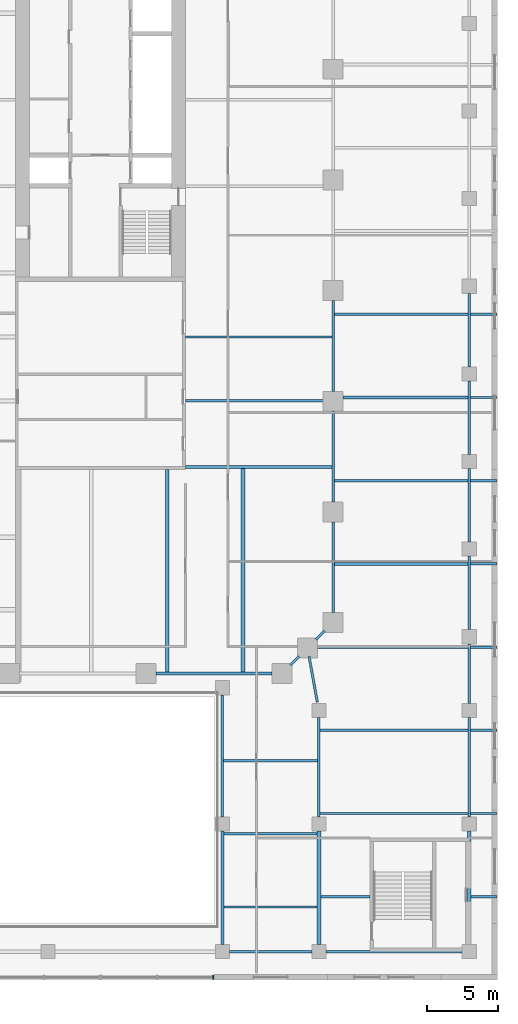
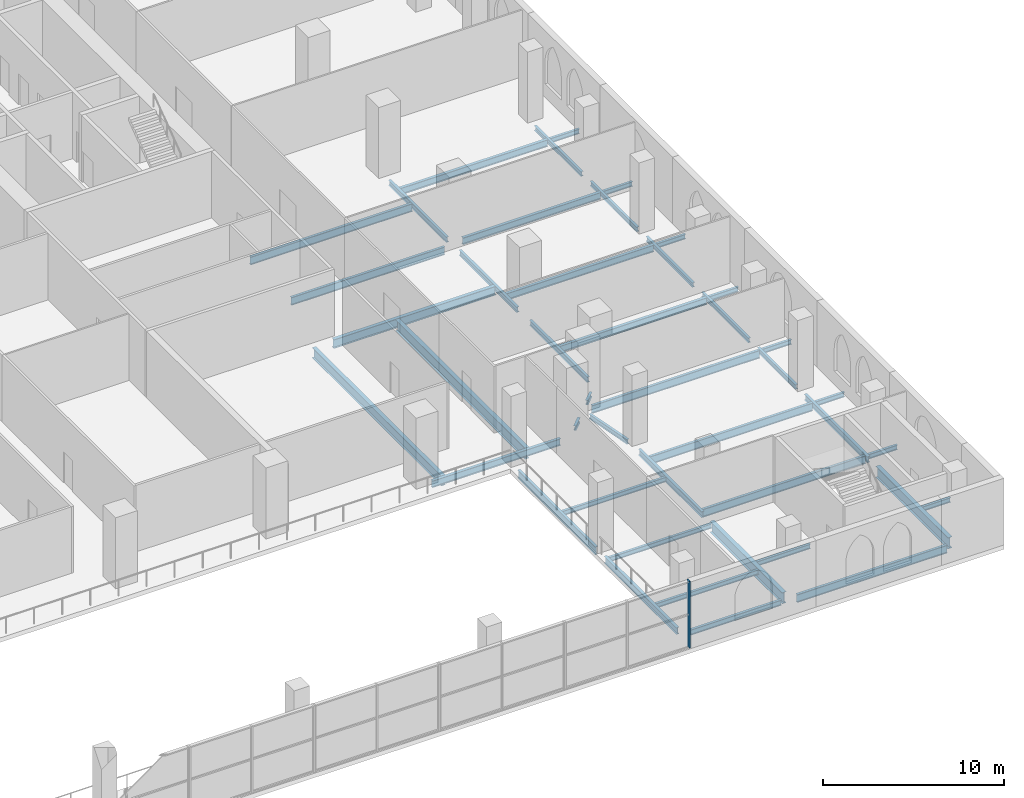
# One storey, part 5 of 19: 44 beams, 1 member, 1 element without a shape of its own.
"""IFC4 building model written with IfcOpenShell, lengths in metres."""

from ifc_helpers import new_model, si_unit, direction, frame, origin, origin_2d, place, context, subcontext, project, spatial, rectangle, i_section, extrude, material, material_profile, profile_set, type_object, element, aggregate, save


model = new_model("IFC4")

# Units and contexts
model_context = context("Model", 3, precision=1e-05, world=origin(), true_north=direction((0.0, 1.0)))
body_context = subcontext(model_context, "Body", "Model", "MODEL_VIEW")
ifc_project = project(units=[si_unit("LENGTHUNIT", "METRE"), si_unit("AREAUNIT", "SQUARE_METRE"), si_unit("VOLUMEUNIT", "CUBIC_METRE"), si_unit("PLANEANGLEUNIT", "RADIAN"), si_unit("MASSUNIT", "GRAM", prefix="KILO")], contexts=[model_context])

# Site, building, storey
site_placement = place(None, origin())
site = spatial("IfcSite", under=ifc_project, at=site_placement, CompositionType="ELEMENT")
building_placement = place(site_placement, origin())
building = spatial("IfcBuilding", under=site, at=building_placement, Name="Ogive Exchange Tower", CompositionType="ELEMENT")
storey_placement = place(building_placement, frame((0.0, 0.0, 24.0)))
storey = spatial("IfcBuildingStorey", under=building, at=storey_placement, Name="L04", CompositionType="ELEMENT", Elevation=24.0)

# Beams
ifc_material_1 = material(Name="Steel ASTM A992 Gr50", Category="steel")
ifc_material_profile_1 = material_profile(ifc_material_1, i_section(OverallWidth=0.1650390625, OverallDepth=0.31005859375, WebThickness=0.005859375, FlangeThickness=0.009765625, at=origin_2d()), Name="W310x38.7")
ifc_profile_set_1 = profile_set([ifc_material_profile_1], Name="Steel ASTM A992 Gr50")
beam_type_1 = type_object("IfcBeamType", Name="Floor beam W310x38.7", PredefinedType="JOIST", material=ifc_profile_set_1)
beam_1_placement = place(storey_placement, frame((31.533447265625, -46.13330078125, -0.455078125), z_axis=(1.0, 0.0, 0.0), x_axis=(0.0, 1.0, 0.0)))
element("IfcBeam", 1, at=beam_1_placement, inside=storey, type_object=beam_type_1, Name="Floor beam", PredefinedType="JOIST", context=body_context, shape_type="SweptSolid", body=[
    extrude(i_section(OverallWidth=0.1650390625, OverallDepth=0.31005859375, WebThickness=0.005859375, FlangeThickness=0.009765625, at=origin_2d()), origin(), (0.0, 0.0, 1.0), 3.466552734375),
])
beam_2_placement = place(storey_placement, frame((42.133544921875, -46.13330078125, -0.455078125), z_axis=(1.0, 0.0, 0.0), x_axis=(0.0, 1.0, 0.0)))
element("IfcBeam", 2, at=beam_2_placement, inside=storey, type_object=beam_type_1, Name="Floor beam", PredefinedType="JOIST", context=body_context, shape_type="SweptSolid", body=[
    extrude(i_section(OverallWidth=0.1650390625, OverallDepth=0.31005859375, WebThickness=0.005859375, FlangeThickness=0.009765625, at=origin_2d()), origin(), (0.0, 0.0, 1.0), 1.81640625),
])
for number, where, z_axis, x_axis, name in (
    (3, (42.089111328125, -40.2666015625, -0.455078125), (1.0, 0.0, 0.0), (0.0, 1.0, 0.0), "Floor beam"),
    (4, (42.089111328125, -34.39990234375, -0.455078125), (1.0, 0.0, 0.0), (0.0, 1.0, 0.0), "Floor beam"),
):
    element("IfcBeam", number, at=place(storey_placement, frame(where, z_axis=z_axis, x_axis=x_axis)), inside=storey, type_object=beam_type_1, Name=name, PredefinedType="JOIST", context=body_context, shape_type="SweptSolid", body=[
        extrude(i_section(OverallWidth=0.1650390625, OverallDepth=0.31005859375, WebThickness=0.005859375, FlangeThickness=0.009765625, at=origin_2d()), origin(), (0.0, 0.0, 1.0), 1.86083984375),
    ])
for number, where, z_axis, x_axis, name in (
    (5, (42.08251953125, -28.533203125, -0.455078125), (1.0, 0.0, 0.0), (0.0, 1.0, 0.0), "Floor beam"),
    (6, (42.08251953125, -22.666748046875, -0.455078125), (1.0, 0.0, 0.0), (0.0, 1.0, 0.0), "Floor beam"),
    (7, (42.08251953125, -16.800048828125, -0.455078125), (1.0, 0.0, 0.0), (0.0, 1.0, 0.0), "Floor beam"),
    (8, (42.08251953125, -10.933349609375, -0.455078125), (1.0, 0.0, 0.0), (0.0, 1.0, 0.0), "Floor beam"),
    (9, (42.08251953125, -5.066650390625, -0.455078125), (1.0, 0.0, 0.0), (0.0, 1.0, 0.0), "Floor beam"),
):
    element("IfcBeam", number, at=place(storey_placement, frame(where, z_axis=z_axis, x_axis=x_axis)), inside=storey, type_object=beam_type_1, Name=name, PredefinedType="JOIST", context=body_context, shape_type="SweptSolid", body=[
        extrude(i_section(OverallWidth=0.1650390625, OverallDepth=0.31005859375, WebThickness=0.005859375, FlangeThickness=0.009765625, at=origin_2d()), origin(), (0.0, 0.0, 1.0), 1.867431640625),
    ])
for number, where, z_axis, x_axis, name in (
    (10, (24.695556640625, -46.85009765625, -0.455078125), (1.0, 0.0, 0.0), (0.0, 1.0, 0.0), "Floor beam"),
    (11, (24.695556640625, -41.699951171875, -0.455078125), (1.0, 0.0, 0.0), (0.0, 1.0, 0.0), "Floor beam"),
):
    element("IfcBeam", number, at=place(storey_placement, frame(where, z_axis=z_axis, x_axis=x_axis)), inside=storey, type_object=beam_type_1, Name=name, PredefinedType="JOIST", context=body_context, shape_type="SweptSolid", body=[
        extrude(i_section(OverallWidth=0.1650390625, OverallDepth=0.31005859375, WebThickness=0.005859375, FlangeThickness=0.009765625, at=origin_2d()), origin(), (0.0, 0.0, 1.0), 6.571044921875),
    ])
beam_3_placement = place(storey_placement, frame((24.68359375, -36.550048828125, -0.455078125), z_axis=(1.0, 0.0, 0.0), x_axis=(0.0, 1.0, 0.0)))
element("IfcBeam", 12, at=beam_3_placement, inside=storey, type_object=beam_type_1, Name="Floor beam", PredefinedType="JOIST", context=body_context, shape_type="SweptSolid", body=[
    extrude(i_section(OverallWidth=0.1650390625, OverallDepth=0.31005859375, WebThickness=0.005859375, FlangeThickness=0.009765625, at=origin_2d()), origin(), (0.0, 0.0, 1.0), 6.62744140625),
])
ifc_material_profile_2 = material_profile(ifc_material_1, i_section(OverallWidth=0.19091796875, OverallDepth=0.45703125, WebThickness=0.009033203125, FlangeThickness=0.014404296875, at=origin_2d()), Name="W460x74")
ifc_profile_set_2 = profile_set([ifc_material_profile_2], Name="Steel ASTM A992 Gr50")
beam_type_2 = type_object("IfcBeamType", Name="Floor beam W460x74", PredefinedType="JOIST", material=ifc_profile_set_2)
for number, where, z_axis, x_axis, name in (
    (13, (32.485595703125, -22.666748046875, -0.528564453125), (1.0, 0.0, 0.0), (0.0, 1.0, 0.0), "Floor beam"),
    (14, (32.485595703125, -16.800048828125, -0.528564453125), (1.0, 0.0, 0.0), (0.0, 1.0, 0.0), "Floor beam"),
):
    element("IfcBeam", number, at=place(storey_placement, frame(where, z_axis=z_axis, x_axis=x_axis)), inside=storey, type_object=beam_type_2, Name=name, PredefinedType="JOIST", context=body_context, shape_type="SweptSolid", body=[
        extrude(i_section(OverallWidth=0.19091796875, OverallDepth=0.45703125, WebThickness=0.009033203125, FlangeThickness=0.014404296875, at=origin_2d()), origin(), (0.0, 0.0, 1.0), 9.431884765625),
    ])
beam_4_placement = place(storey_placement, frame((33.10009765625, -10.933349609375, -0.528564453125), z_axis=(1.0, 0.0, 0.0), x_axis=(0.0, 1.0, 0.0)))
element("IfcBeam", 15, at=beam_4_placement, inside=storey, type_object=beam_type_2, Name="Floor beam", PredefinedType="JOIST", context=body_context, shape_type="SweptSolid", body=[
    extrude(i_section(OverallWidth=0.19091796875, OverallDepth=0.45703125, WebThickness=0.009033203125, FlangeThickness=0.014404296875, at=origin_2d()), origin(), (0.0, 0.0, 1.0), 8.8173828125),
])
beam_5_placement = place(storey_placement, frame((32.485595703125, -5.066650390625, -0.528564453125), z_axis=(1.0, 0.0, 0.0), x_axis=(0.0, 1.0, 0.0)))
element("IfcBeam", 16, at=beam_5_placement, inside=storey, type_object=beam_type_2, Name="Floor beam", PredefinedType="JOIST", context=body_context, shape_type="SweptSolid", body=[
    extrude(i_section(OverallWidth=0.19091796875, OverallDepth=0.45703125, WebThickness=0.009033203125, FlangeThickness=0.014404296875, at=origin_2d()), origin(), (0.0, 0.0, 1.0), 9.431884765625),
])
ifc_material_profile_3 = material_profile(ifc_material_1, i_section(OverallWidth=0.1669921875, OverallDepth=0.535888671875, WebThickness=0.01025390625, FlangeThickness=0.0166015625, at=origin_2d()), Name="W530x85")
ifc_profile_set_3 = profile_set([ifc_material_profile_3], Name="Steel ASTM A992 Gr50")
beam_type_3 = type_object("IfcBeamType", Name="Floor beam W530x85", PredefinedType="JOIST", material=ifc_profile_set_3)
beam_6_placement = place(storey_placement, frame((22.0, -11.17822265625, -0.568115234375), z_axis=(1.0, 0.0, 0.0), x_axis=(0.0, 1.0, 0.0)))
element("IfcBeam", 17, at=beam_6_placement, inside=storey, type_object=beam_type_3, Name="Floor beam", PredefinedType="JOIST", context=body_context, shape_type="SweptSolid", body=[
    extrude(i_section(OverallWidth=0.1669921875, OverallDepth=0.535888671875, WebThickness=0.01025390625, FlangeThickness=0.0166015625, at=origin_2d()), origin(), (0.0, 0.0, 1.0), 9.800048828125),
])
beam_7_placement = place(storey_placement, frame((22.0, -6.666748046875, -0.568115234375), z_axis=(1.0, 0.0, 0.0), x_axis=(0.0, 1.0, 0.0)))
element("IfcBeam", 18, at=beam_7_placement, inside=storey, type_object=beam_type_3, Name="Floor beam", PredefinedType="JOIST", context=body_context, shape_type="SweptSolid", body=[
    extrude(i_section(OverallWidth=0.1669921875, OverallDepth=0.535888671875, WebThickness=0.01025390625, FlangeThickness=0.0166015625, at=origin_2d()), origin(), (0.0, 0.0, 1.0), 10.344970703125),
])
for number, where, z_axis, x_axis, name in (
    (19, (31.489013671875, -40.2666015625, -0.568115234375), (1.0, 0.0, 0.0), (0.0, 1.0, 0.0), "Floor beam"),
    (20, (31.489013671875, -34.39990234375, -0.568115234375), (1.0, 0.0, 0.0), (0.0, 1.0, 0.0), "Floor beam"),
):
    element("IfcBeam", number, at=place(storey_placement, frame(where, z_axis=z_axis, x_axis=x_axis)), inside=storey, type_object=beam_type_3, Name=name, PredefinedType="JOIST", context=body_context, shape_type="SweptSolid", body=[
        extrude(i_section(OverallWidth=0.1669921875, OverallDepth=0.535888671875, WebThickness=0.01025390625, FlangeThickness=0.0166015625, at=origin_2d()), origin(), (0.0, 0.0, 1.0), 10.421875),
    ])
beam_8_placement = place(storey_placement, frame((31.199951171875, -28.533203125, -0.568115234375), z_axis=(1.0, 0.0, 0.0), x_axis=(0.0, 1.0, 0.0)))
element("IfcBeam", 21, at=beam_8_placement, inside=storey, type_object=beam_type_3, Name="Floor beam", PredefinedType="JOIST", context=body_context, shape_type="SweptSolid", body=[
    extrude(i_section(OverallWidth=0.1669921875, OverallDepth=0.535888671875, WebThickness=0.01025390625, FlangeThickness=0.0166015625, at=origin_2d()), origin(), (0.0, 0.0, 1.0), 10.717529296875),
])
ifc_material_profile_4 = material_profile(ifc_material_1, i_section(OverallWidth=0.25390625, OverallDepth=0.68310546875, WebThickness=0.012451171875, FlangeThickness=0.018798828125, at=origin_2d()), Name="W690x140")
ifc_profile_set_4 = profile_set([ifc_material_profile_4], Name="Steel ASTM A992 Gr50")
beam_type_4 = type_object("IfcBeamType", Name="Floor beam W690x140", PredefinedType="JOIST", material=ifc_profile_set_4)
beam_9_placement = place(storey_placement, frame((20.699951171875, -30.304443359375, -0.6416015625), z_axis=(0.0, 1.0, 0.0), x_axis=(-1.0, 0.0, 0.0)))
element("IfcBeam", 22, at=beam_9_placement, inside=storey, type_object=beam_type_4, Name="Floor beam", PredefinedType="JOIST", context=body_context, shape_type="SweptSolid", body=[
    extrude(i_section(OverallWidth=0.25390625, OverallDepth=0.68310546875, WebThickness=0.012451171875, FlangeThickness=0.018798828125, at=origin_2d()), origin(), (0.0, 0.0, 1.0), 14.304443359375),
])
ifc_material_profile_5 = material_profile(ifc_material_1, i_section(OverallWidth=0.26708984375, OverallDepth=0.75390625, WebThickness=0.01318359375, FlangeThickness=0.01708984375, at=origin_2d()), Name="W760x147")
ifc_profile_set_5 = profile_set([ifc_material_profile_5], Name="Steel ASTM A992 Gr50")
beam_type_5 = type_object("IfcBeamType", Name="Floor beam W760x147", PredefinedType="JOIST", material=ifc_profile_set_5)
beam_10_placement = place(storey_placement, frame((26.050048828125, -30.304443359375, -0.677001953125), z_axis=(0.0, 1.0, 0.0), x_axis=(-1.0, 0.0, 0.0)))
element("IfcBeam", 23, at=beam_10_placement, inside=storey, type_object=beam_type_5, Name="Floor beam", PredefinedType="JOIST", context=body_context, shape_type="SweptSolid", body=[
    extrude(i_section(OverallWidth=0.26708984375, OverallDepth=0.75390625, WebThickness=0.01318359375, FlangeThickness=0.01708984375, at=origin_2d()), origin(), (0.0, 0.0, 1.0), 14.345458984375),
])

# Curtain wall, member
ifc_material_2 = material(Name="Anodised aluminium and clear glass", Category="aluminium")
curtain_wall_type = type_object("IfcCurtainWallType", Name="Galleria end wall glazing", PredefinedType="NOTDEFINED", material=ifc_material_2)
curtain_wall_placement = place(storey_placement, origin())
curtain_wall = element("IfcCurtainWall", 24, at=curtain_wall_placement, inside=storey, type_object=curtain_wall_type, Name="Galleria end wall glazing run GE9", PredefinedType="NOTDEFINED")
ifc_material_3 = material(Name="Anodised aluminium", Category="aluminium")
ifc_material_profile_6 = material_profile(ifc_material_3, rectangle(XDim=0.260009765625, YDim=0.080078125, at=origin_2d()), Name="AL 80x260")
ifc_profile_set_6 = profile_set([ifc_material_profile_6], Name="Anodised aluminium")
member_type = type_object("IfcMemberType", Name="Galleria end wall glazing mullion 80 x 260", PredefinedType="MULLION", material=ifc_profile_set_6)
member_placement = place(storey_placement, frame((23.9599609375, -51.800048828125, 0.0), z_axis=(0.0, 0.0, 1.0), x_axis=(0.0, 1.0, 0.0)))
member = element("IfcMember", 25, at=member_placement, type_object=member_type, Name="GE9 mullion 3", PredefinedType="MULLION", context=body_context, shape_type="SweptSolid", body=[
    extrude(rectangle(XDim=0.260009765625, YDim=0.080078125, at=origin_2d()), origin(), (0.0, 0.0, 1.0), 4.5),
])
aggregate(curtain_wall, [member])

# Beams
ifc_material_profile_7 = material_profile(ifc_material_1, i_section(OverallWidth=0.1650390625, OverallDepth=0.31005859375, WebThickness=0.005859375, FlangeThickness=0.009765625, at=origin_2d()), Name="W310x38.7")
ifc_profile_set_7 = profile_set([ifc_material_profile_7], Name="Steel ASTM A992 Gr50")
beam_type_6 = type_object("IfcBeamType", Name="Girder W310x38.7", PredefinedType="BEAM", material=ifc_profile_set_7)
for number, where, z_axis, x_axis, name in (
    (26, (29.39404296875, -29.805908203125, -0.455078125), (0.707247821729, 0.706965712506, 0.0), (-0.706965712506, 0.707247821729, 0.0), "Girder"),
    (27, (31.194091796875, -28.006103515625, -0.455078125), (0.706965712506, 0.707247821729, 0.0), (-0.707247821729, 0.706965712506, 0.0), "Girder"),
):
    element("IfcBeam", number, at=place(storey_placement, frame(where, z_axis=z_axis, x_axis=x_axis)), inside=storey, type_object=beam_type_6, Name=name, PredefinedType="BEAM", context=body_context, shape_type="SweptSolid", body=[
        extrude(i_section(OverallWidth=0.1650390625, OverallDepth=0.31005859375, WebThickness=0.005859375, FlangeThickness=0.009765625, at=origin_2d()), origin(), (0.0, 0.0, 1.0), 0.865478515625),
    ])
beam_11_placement = place(storey_placement, frame((31.292724609375, -32.40966796875, -0.455078125), z_axis=(-0.178911700404, 0.983865134792, 0.0), x_axis=(-0.983865134792, -0.178911700404, 0.0)))
element("IfcBeam", 28, at=beam_11_placement, inside=storey, type_object=beam_type_6, Name="Girder", PredefinedType="BEAM", context=body_context, shape_type="SweptSolid", body=[
    extrude(i_section(OverallWidth=0.1650390625, OverallDepth=0.31005859375, WebThickness=0.005859375, FlangeThickness=0.009765625, at=origin_2d()), origin(), (0.0, 0.0, 1.0), 3.272216796875),
])
beam_12_placement = place(storey_placement, frame((42.0, -32.5, -0.455078125), z_axis=(0.0, 1.0, 0.0), x_axis=(-1.0, 0.0, 0.0)))
element("IfcBeam", 29, at=beam_12_placement, inside=storey, type_object=beam_type_6, Name="Girder", PredefinedType="BEAM", context=body_context, shape_type="SweptSolid", body=[
    extrude(i_section(OverallWidth=0.1650390625, OverallDepth=0.31005859375, WebThickness=0.005859375, FlangeThickness=0.009765625, at=origin_2d()), origin(), (0.0, 0.0, 1.0), 4.199951171875),
])
beam_13_placement = place(storey_placement, frame((42.0, -27.300048828125, -0.455078125), z_axis=(0.0, 1.0, 0.0), x_axis=(-1.0, 0.0, 0.0)))
element("IfcBeam", 30, at=beam_13_placement, inside=storey, type_object=beam_type_6, Name="Girder", PredefinedType="BEAM", context=body_context, shape_type="SweptSolid", body=[
    extrude(i_section(OverallWidth=0.1650390625, OverallDepth=0.31005859375, WebThickness=0.005859375, FlangeThickness=0.009765625, at=origin_2d()), origin(), (0.0, 0.0, 1.0), 5.179931640625),
])
beam_14_placement = place(storey_placement, frame((42.0, -21.1201171875, -0.455078125), z_axis=(0.0, 1.0, 0.0), x_axis=(-1.0, 0.0, 0.0)))
element("IfcBeam", 31, at=beam_14_placement, inside=storey, type_object=beam_type_6, Name="Girder", PredefinedType="BEAM", context=body_context, shape_type="SweptSolid", body=[
    extrude(i_section(OverallWidth=0.1650390625, OverallDepth=0.31005859375, WebThickness=0.005859375, FlangeThickness=0.009765625, at=origin_2d()), origin(), (0.0, 0.0, 1.0), 5.18017578125),
])
beam_15_placement = place(storey_placement, frame((42.0, -14.93994140625, -0.455078125), z_axis=(0.0, 1.0, 0.0), x_axis=(-1.0, 0.0, 0.0)))
element("IfcBeam", 32, at=beam_15_placement, inside=storey, type_object=beam_type_6, Name="Girder", PredefinedType="BEAM", context=body_context, shape_type="SweptSolid", body=[
    extrude(i_section(OverallWidth=0.1650390625, OverallDepth=0.31005859375, WebThickness=0.005859375, FlangeThickness=0.009765625, at=origin_2d()), origin(), (0.0, 0.0, 1.0), 5.169921875),
])
beam_16_placement = place(storey_placement, frame((42.0, -8.77001953125, -0.455078125), z_axis=(0.0, 1.0, 0.0), x_axis=(-1.0, 0.0, 0.0)))
element("IfcBeam", 33, at=beam_16_placement, inside=storey, type_object=beam_type_6, Name="Girder", PredefinedType="BEAM", context=body_context, shape_type="SweptSolid", body=[
    extrude(i_section(OverallWidth=0.1650390625, OverallDepth=0.31005859375, WebThickness=0.005859375, FlangeThickness=0.009765625, at=origin_2d()), origin(), (0.0, 0.0, 1.0), 5.179931640625),
])
ifc_material_profile_8 = material_profile(ifc_material_1, i_section(OverallWidth=0.1708984375, OverallDepth=0.35595703125, WebThickness=0.00732421875, FlangeThickness=0.01171875, at=origin_2d()), Name="W360x51")
ifc_profile_set_8 = profile_set([ifc_material_profile_8], Name="Steel ASTM A992 Gr50")
beam_type_7 = type_object("IfcBeamType", Name="Girder W360x51", PredefinedType="BEAM", material=ifc_profile_set_8)
for number, where, z_axis, x_axis, name in (
    (34, (32.39990234375, -26.10009765625, -0.47802734375), (0.0, 1.0, 0.0), (-1.0, 0.0, 0.0), "Girder"),
    (35, (32.39990234375, -18.300048828125, -0.47802734375), (0.0, 1.0, 0.0), (-1.0, 0.0, 0.0), "Girder"),
):
    element("IfcBeam", number, at=place(storey_placement, frame(where, z_axis=z_axis, x_axis=x_axis)), inside=storey, type_object=beam_type_7, Name=name, PredefinedType="BEAM", context=body_context, shape_type="SweptSolid", body=[
        extrude(i_section(OverallWidth=0.1708984375, OverallDepth=0.35595703125, WebThickness=0.00732421875, FlangeThickness=0.01171875, at=origin_2d()), origin(), (0.0, 0.0, 1.0), 6.400146484375),
    ])
beam_17_placement = place(storey_placement, frame((32.39990234375, -10.5, -0.47802734375), z_axis=(0.0, 1.0, 0.0), x_axis=(-1.0, 0.0, 0.0)))
element("IfcBeam", 36, at=beam_17_placement, inside=storey, type_object=beam_type_7, Name="Girder", PredefinedType="BEAM", context=body_context, shape_type="SweptSolid", body=[
    extrude(i_section(OverallWidth=0.1708984375, OverallDepth=0.35595703125, WebThickness=0.00732421875, FlangeThickness=0.01171875, at=origin_2d()), origin(), (0.0, 0.0, 1.0), 6.39990234375),
])
beam_18_placement = place(storey_placement, frame((25.10009765625, -50.0, -0.47802734375), z_axis=(1.0, 0.0, 0.0), x_axis=(0.0, 1.0, 0.0)))
element("IfcBeam", 37, at=beam_18_placement, inside=storey, type_object=beam_type_7, Name="Girder", PredefinedType="BEAM", context=body_context, shape_type="SweptSolid", body=[
    extrude(i_section(OverallWidth=0.1708984375, OverallDepth=0.35595703125, WebThickness=0.00732421875, FlangeThickness=0.01171875, at=origin_2d()), origin(), (0.0, 0.0, 1.0), 5.7998046875),
])
ifc_material_profile_9 = material_profile(ifc_material_1, i_section(OverallWidth=0.177978515625, OverallDepth=0.406005859375, WebThickness=0.0078125, FlangeThickness=0.0126953125, at=origin_2d()), Name="W410x60")
ifc_profile_set_9 = profile_set([ifc_material_profile_9], Name="Steel ASTM A992 Gr50")
beam_type_8 = type_object("IfcBeamType", Name="Girder W410x60", PredefinedType="BEAM", material=ifc_profile_set_9)
for number, where, z_axis, x_axis, name in (
    (38, (31.39990234375, -40.5, -0.5029296875), (0.0, 1.0, 0.0), (-1.0, 0.0, 0.0), "Girder"),
    (39, (42.0, -40.5, -0.5029296875), (0.0, 1.0, 0.0), (-1.0, 0.0, 0.0), "Girder"),
):
    element("IfcBeam", number, at=place(storey_placement, frame(where, z_axis=z_axis, x_axis=x_axis)), inside=storey, type_object=beam_type_8, Name=name, PredefinedType="BEAM", context=body_context, shape_type="SweptSolid", body=[
        extrude(i_section(OverallWidth=0.177978515625, OverallDepth=0.406005859375, WebThickness=0.0078125, FlangeThickness=0.0126953125, at=origin_2d()), origin(), (0.0, 0.0, 1.0), 7.0),
    ])
ifc_material_profile_10 = material_profile(ifc_material_1, i_section(OverallWidth=0.19091796875, OverallDepth=0.45703125, WebThickness=0.009033203125, FlangeThickness=0.014404296875, at=origin_2d()), Name="W460x74")
ifc_profile_set_10 = profile_set([ifc_material_profile_10], Name="Steel ASTM A992 Gr50")
beam_type_9 = type_object("IfcBeamType", Name="Girder W460x74", PredefinedType="BEAM", material=ifc_profile_set_10)
beam_19_placement = place(storey_placement, frame((19.89990234375, -30.39990234375, -0.528564453125), z_axis=(1.0, 0.0, 0.0), x_axis=(0.0, 1.0, 0.0)))
element("IfcBeam", 40, at=beam_19_placement, inside=storey, type_object=beam_type_9, Name="Girder", PredefinedType="BEAM", context=body_context, shape_type="SweptSolid", body=[
    extrude(i_section(OverallWidth=0.19091796875, OverallDepth=0.45703125, WebThickness=0.009033203125, FlangeThickness=0.014404296875, at=origin_2d()), origin(), (0.0, 0.0, 1.0), 8.2001953125),
])
beam_20_placement = place(storey_placement, frame((24.60009765625, -49.5, -0.528564453125), z_axis=(0.0, 1.0, 0.0), x_axis=(-1.0, 0.0, 0.0)))
element("IfcBeam", 41, at=beam_20_placement, inside=storey, type_object=beam_type_9, Name="Girder", PredefinedType="BEAM", context=body_context, shape_type="SweptSolid", body=[
    extrude(i_section(OverallWidth=0.19091796875, OverallDepth=0.45703125, WebThickness=0.009033203125, FlangeThickness=0.014404296875, at=origin_2d()), origin(), (0.0, 0.0, 1.0), 8.0),
])
ifc_material_profile_11 = material_profile(ifc_material_1, i_section(OverallWidth=0.1669921875, OverallDepth=0.535888671875, WebThickness=0.01025390625, FlangeThickness=0.0166015625, at=origin_2d()), Name="W530x85")
ifc_profile_set_11 = profile_set([ifc_material_profile_11], Name="Steel ASTM A992 Gr50")
beam_type_10 = type_object("IfcBeamType", Name="Girder W530x85", PredefinedType="BEAM", material=ifc_profile_set_11)
beam_21_placement = place(storey_placement, frame((24.60009765625, -40.5, -0.568115234375), z_axis=(0.0, 1.0, 0.0), x_axis=(-1.0, 0.0, 0.0)))
element("IfcBeam", 42, at=beam_21_placement, inside=storey, type_object=beam_type_10, Name="Girder", PredefinedType="BEAM", context=body_context, shape_type="SweptSolid", body=[
    extrude(i_section(OverallWidth=0.1669921875, OverallDepth=0.535888671875, WebThickness=0.01025390625, FlangeThickness=0.0166015625, at=origin_2d()), origin(), (0.0, 0.0, 1.0), 8.60009765625),
])
beam_22_placement = place(storey_placement, frame((31.89990234375, -50.0, -0.568115234375), z_axis=(1.0, 0.0, 0.0), x_axis=(0.0, 1.0, 0.0)))
element("IfcBeam", 43, at=beam_22_placement, inside=storey, type_object=beam_type_10, Name="Girder", PredefinedType="BEAM", context=body_context, shape_type="SweptSolid", body=[
    extrude(i_section(OverallWidth=0.1669921875, OverallDepth=0.535888671875, WebThickness=0.01025390625, FlangeThickness=0.0166015625, at=origin_2d()), origin(), (0.0, 0.0, 1.0), 9.60009765625),
])
ifc_material_profile_12 = material_profile(ifc_material_1, i_section(OverallWidth=0.22802734375, OverallDepth=0.60205078125, WebThickness=0.010498046875, FlangeThickness=0.014892578125, at=origin_2d()), Name="W610x101")
ifc_profile_set_12 = profile_set([ifc_material_profile_12], Name="Steel ASTM A992 Gr50")
beam_type_11 = type_object("IfcBeamType", Name="Girder W610x101", PredefinedType="BEAM", material=ifc_profile_set_12)
beam_23_placement = place(storey_placement, frame((22.0, -15.844970703125, -0.60107421875), z_axis=(1.0, 0.0, 0.0), x_axis=(0.0, 1.0, 0.0)))
element("IfcBeam", 44, at=beam_23_placement, inside=storey, type_object=beam_type_11, Name="Header girder", PredefinedType="BEAM", context=body_context, shape_type="SweptSolid", body=[
    extrude(i_section(OverallWidth=0.22802734375, OverallDepth=0.60205078125, WebThickness=0.010498046875, FlangeThickness=0.014892578125, at=origin_2d()), origin(), (0.0, 0.0, 1.0), 10.344970703125),
])
ifc_material_profile_13 = material_profile(ifc_material_1, i_section(OverallWidth=0.26708984375, OverallDepth=0.75390625, WebThickness=0.01318359375, FlangeThickness=0.01708984375, at=origin_2d()), Name="W760x147")
ifc_profile_set_13 = profile_set([ifc_material_profile_13], Name="Steel ASTM A992 Gr50")
beam_type_12 = type_object("IfcBeamType", Name="Girder W760x147", PredefinedType="BEAM", material=ifc_profile_set_13)
for number, where, z_axis, x_axis, name in (
    (45, (31.39990234375, -49.5, -0.677001953125), (0.0, 1.0, 0.0), (-1.0, 0.0, 0.0), "Girder"),
    (46, (42.0, -49.5, -0.677001953125), (0.0, 1.0, 0.0), (-1.0, 0.0, 0.0), "Girder"),
):
    element("IfcBeam", number, at=place(storey_placement, frame(where, z_axis=z_axis, x_axis=x_axis)), inside=storey, type_object=beam_type_12, Name=name, PredefinedType="BEAM", context=body_context, shape_type="SweptSolid", body=[
        extrude(i_section(OverallWidth=0.26708984375, OverallDepth=0.75390625, WebThickness=0.01318359375, FlangeThickness=0.01708984375, at=origin_2d()), origin(), (0.0, 0.0, 1.0), 8.0),
    ])

save(model, "model.ifc")
